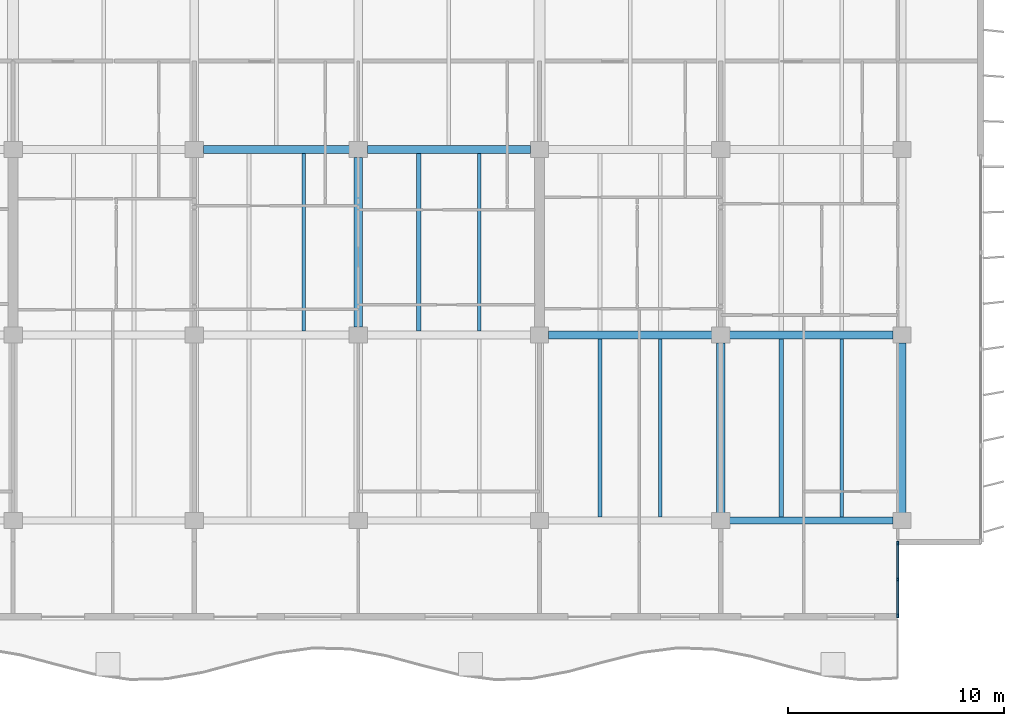
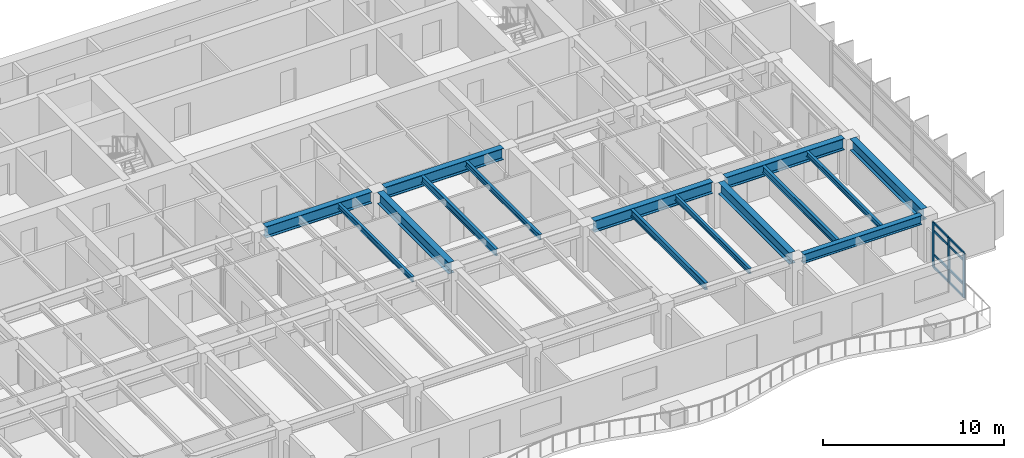
# One storey, part 4 of 19: 15 beams, 11 members, 1 element without a shape of its own.
"""IFC4 building model written with IfcOpenShell, lengths in metres."""

from ifc_helpers import new_model, si_unit, direction, frame, origin, origin_2d, place, context, subcontext, project, spatial, rectangle, i_section, extrude, material, layer, layer_set, material_profile, profile_set, type_object, element, aggregate, save


model = new_model("IFC4")

# Units and contexts
model_context = context("Model", 3, precision=1e-05, world=origin(), true_north=direction((0.0, 1.0)))
body_context = subcontext(model_context, "Body", "Model", "MODEL_VIEW")
ifc_project = project(units=[si_unit("LENGTHUNIT", "METRE"), si_unit("AREAUNIT", "SQUARE_METRE"), si_unit("VOLUMEUNIT", "CUBIC_METRE"), si_unit("PLANEANGLEUNIT", "RADIAN"), si_unit("MASSUNIT", "GRAM", prefix="KILO")], contexts=[model_context])

# Site, building, storey
site_placement = place(None, origin())
site = spatial("IfcSite", under=ifc_project, at=site_placement, CompositionType="ELEMENT")
building_placement = place(site_placement, origin())
building = spatial("IfcBuilding", under=site, at=building_placement, Name="Caelmar Bay Residences", CompositionType="ELEMENT")
storey_placement = place(building_placement, frame((0.0, 0.0, 188.39990234375)))
storey = spatial("IfcBuildingStorey", under=building, at=storey_placement, Name="L52", CompositionType="ELEMENT", Elevation=188.39990234375)

# Beams
ifc_material_1 = material(Name="Steel ASTM A992 Grade 50", Category="steel")
ifc_material_profile_1 = material_profile(ifc_material_1, i_section(OverallWidth=0.381103515625, OverallDepth=0.77197265625, WebThickness=0.0166015625, FlangeThickness=0.027099609375, FilletRadius=0.0166015625, at=origin_2d()), Name="W30X173")
ifc_profile_set_1 = profile_set([ifc_material_profile_1], Name="Steel ASTM A992 Grade 50")
beam_type_1 = type_object("IfcBeamType", Name="BM-GRD-W30X173", PredefinedType="BEAM", material=ifc_profile_set_1)
for number, where, z_axis, x_axis, name in (
    (1, (51.514892578125, 20.800048828125, 2.6640625), (1.0, 0.0, 0.0), (0.0, 1.0, 0.0), "L52 East-West Girder Y=20.80 (51.1-59.5)"),
    (2, (59.9150390625, 20.800048828125, 2.6640625), (1.0, 0.0, 0.0), (0.0, 1.0, 0.0), "L52 East-West Girder Y=20.80 (59.5-67.9)"),
):
    element("IfcBeam", number, at=place(storey_placement, frame(where, z_axis=z_axis, x_axis=x_axis)), inside=storey, type_object=beam_type_1, Name=name, PredefinedType="BEAM", context=body_context, shape_type="SweptSolid", body=[
        extrude(i_section(OverallWidth=0.381103515625, OverallDepth=0.77197265625, WebThickness=0.0166015625, FlangeThickness=0.027099609375, FilletRadius=0.0166015625, at=origin_2d()), origin(), (0.0, 0.0, 1.0), 7.570068359375),
    ])
beam_1_placement = place(storey_placement, frame((35.514892578125, 29.39990234375, 2.6640625), z_axis=(1.0, 0.0, 0.0), x_axis=(0.0, 1.0, 0.0)))
element("IfcBeam", 3, at=beam_1_placement, inside=storey, type_object=beam_type_1, Name="L52 East-West Girder Y=29.40 (35.1-42.7)", PredefinedType="BEAM", context=body_context, shape_type="SweptSolid", body=[
    extrude(i_section(OverallWidth=0.381103515625, OverallDepth=0.77197265625, WebThickness=0.0166015625, FlangeThickness=0.027099609375, FilletRadius=0.0166015625, at=origin_2d()), origin(), (0.0, 0.0, 1.0), 6.77001953125),
])
beam_2_placement = place(storey_placement, frame((43.114990234375, 29.39990234375, 2.6640625), z_axis=(1.0, 0.0, 0.0), x_axis=(0.0, 1.0, 0.0)))
element("IfcBeam", 4, at=beam_2_placement, inside=storey, type_object=beam_type_1, Name="L52 East-West Girder Y=29.40 (42.7-51.1)", PredefinedType="BEAM", context=body_context, shape_type="SweptSolid", body=[
    extrude(i_section(OverallWidth=0.381103515625, OverallDepth=0.77197265625, WebThickness=0.0166015625, FlangeThickness=0.027099609375, FilletRadius=0.0166015625, at=origin_2d()), origin(), (0.0, 0.0, 1.0), 7.570068359375),
])
beam_3_placement = place(storey_placement, frame((42.699951171875, 21.1650390625, 2.6640625), z_axis=(0.0, 1.0, 0.0), x_axis=(-1.0, 0.0, 0.0)))
element("IfcBeam", 5, at=beam_3_placement, inside=storey, type_object=beam_type_1, Name="L52 North-South Girder X=42.70 (20.8-29.4)", PredefinedType="BEAM", context=body_context, shape_type="SweptSolid", body=[
    extrude(i_section(OverallWidth=0.381103515625, OverallDepth=0.77197265625, WebThickness=0.0166015625, FlangeThickness=0.027099609375, FilletRadius=0.0166015625, at=origin_2d()), origin(), (0.0, 0.0, 1.0), 7.869873046875),
])
for number, where, z_axis, x_axis, name in (
    (6, (59.5, 12.56494140625, 2.6640625), (0.0, 1.0, 0.0), (-1.0, 0.0, 0.0), "L52 North-South Girder X=59.50 (12.2-20.8)"),
    (7, (67.89990234375, 12.56494140625, 2.6640625), (0.0, 1.0, 0.0), (-1.0, 0.0, 0.0), "L52 North-South Girder X=67.90 (12.2-20.8)"),
):
    element("IfcBeam", number, at=place(storey_placement, frame(where, z_axis=z_axis, x_axis=x_axis)), inside=storey, type_object=beam_type_1, Name=name, PredefinedType="BEAM", context=body_context, shape_type="SweptSolid", body=[
        extrude(i_section(OverallWidth=0.381103515625, OverallDepth=0.77197265625, WebThickness=0.0166015625, FlangeThickness=0.027099609375, FilletRadius=0.0166015625, at=origin_2d()), origin(), (0.0, 0.0, 1.0), 7.8701171875),
    ])
ifc_material_profile_2 = material_profile(ifc_material_1, i_section(OverallWidth=0.1708984375, OverallDepth=0.35595703125, WebThickness=0.007080078125, FlangeThickness=0.01171875, FilletRadius=0.007568359375, at=origin_2d()), Name="W14X34")
ifc_profile_set_2 = profile_set([ifc_material_profile_2], Name="Steel ASTM A992 Grade 50")
beam_type_2 = type_object("IfcBeamType", Name="BM-JST-W14X34", PredefinedType="JOIST", material=ifc_profile_set_2)
for number, where, z_axis, x_axis, name in (
    (8, (56.699951171875, 12.362548828125, 2.8720703125), (0.0, 1.0, 0.0), (-1.0, 0.0, 0.0), "L52 Composite Floor Joist 12"),
    (9, (65.10009765625, 12.362548828125, 2.8720703125), (0.0, 1.0, 0.0), (-1.0, 0.0, 0.0), "L52 Composite Floor Joist 14"),
):
    element("IfcBeam", number, at=place(storey_placement, frame(where, z_axis=z_axis, x_axis=x_axis)), inside=storey, type_object=beam_type_2, Name=name, PredefinedType="JOIST", context=body_context, shape_type="SweptSolid", body=[
        extrude(i_section(OverallWidth=0.1708984375, OverallDepth=0.35595703125, WebThickness=0.007080078125, FlangeThickness=0.01171875, FilletRadius=0.007568359375, at=origin_2d()), origin(), (0.0, 0.0, 1.0), 8.2470703125),
    ])
for number, where, z_axis, x_axis, name in (
    (10, (40.166748046875, 20.990478515625, 2.8720703125), (0.0, 1.0, 0.0), (-1.0, 0.0, 0.0), "L52 Composite Floor Joist 22"),
    (11, (48.300048828125, 20.990478515625, 2.8720703125), (0.0, 1.0, 0.0), (-1.0, 0.0, 0.0), "L52 Composite Floor Joist 24"),
):
    element("IfcBeam", number, at=place(storey_placement, frame(where, z_axis=z_axis, x_axis=x_axis)), inside=storey, type_object=beam_type_2, Name=name, PredefinedType="JOIST", context=body_context, shape_type="SweptSolid", body=[
        extrude(i_section(OverallWidth=0.1708984375, OverallDepth=0.35595703125, WebThickness=0.007080078125, FlangeThickness=0.01171875, FilletRadius=0.007568359375, at=origin_2d()), origin(), (0.0, 0.0, 1.0), 8.218994140625),
    ])
ifc_material_profile_3 = material_profile(ifc_material_1, i_section(OverallWidth=0.19091796875, OverallDepth=0.45703125, WebThickness=0.009033203125, FlangeThickness=0.014404296875, FilletRadius=0.01025390625, at=origin_2d()), Name="W18X50")
ifc_profile_set_3 = profile_set([ifc_material_profile_3], Name="Steel ASTM A992 Grade 50")
beam_type_3 = type_object("IfcBeamType", Name="BM-JST-W18X50", PredefinedType="JOIST", material=ifc_profile_set_3)
for number, where, z_axis, x_axis, name in (
    (12, (53.89990234375, 12.362548828125, 2.821533203125), (0.0, 1.0, 0.0), (-1.0, 0.0, 0.0), "L52 Composite Floor Joist 11"),
    (13, (62.300048828125, 12.362548828125, 2.821533203125), (0.0, 1.0, 0.0), (-1.0, 0.0, 0.0), "L52 Composite Floor Joist 13"),
):
    element("IfcBeam", number, at=place(storey_placement, frame(where, z_axis=z_axis, x_axis=x_axis)), inside=storey, type_object=beam_type_3, Name=name, PredefinedType="JOIST", context=body_context, shape_type="SweptSolid", body=[
        extrude(i_section(OverallWidth=0.19091796875, OverallDepth=0.45703125, WebThickness=0.009033203125, FlangeThickness=0.014404296875, FilletRadius=0.01025390625, at=origin_2d()), origin(), (0.0, 0.0, 1.0), 8.2470703125),
    ])
beam_4_placement = place(storey_placement, frame((45.5, 20.990478515625, 2.821533203125), z_axis=(0.0, 1.0, 0.0), x_axis=(-1.0, 0.0, 0.0)))
element("IfcBeam", 14, at=beam_4_placement, inside=storey, type_object=beam_type_3, Name="L52 Composite Floor Joist 23", PredefinedType="JOIST", context=body_context, shape_type="SweptSolid", body=[
    extrude(i_section(OverallWidth=0.19091796875, OverallDepth=0.45703125, WebThickness=0.009033203125, FlangeThickness=0.014404296875, FilletRadius=0.01025390625, at=origin_2d()), origin(), (0.0, 0.0, 1.0), 8.218994140625),
])
ifc_material_profile_4 = material_profile(ifc_material_1, i_section(OverallWidth=0.324951171875, OverallDepth=0.616943359375, WebThickness=0.013916015625, FlangeThickness=0.021484375, FilletRadius=0.0126953125, at=origin_2d()), Name="W24X117")
ifc_profile_set_4 = profile_set([ifc_material_profile_4], Name="Steel ASTM A992 Grade 50")
beam_type_4 = type_object("IfcBeamType", Name="BM-SPN-W24X117", PredefinedType="SPANDREL", material=ifc_profile_set_4)
beam_5_placement = place(storey_placement, frame((59.9150390625, 12.199951171875, 2.74169921875), z_axis=(1.0, 0.0, 0.0), x_axis=(0.0, 1.0, 0.0)))
element("IfcBeam", 15, at=beam_5_placement, inside=storey, type_object=beam_type_4, Name="L52 East-West Girder Y=12.20 (59.5-67.9)", PredefinedType="SPANDREL", context=body_context, shape_type="SweptSolid", body=[
    extrude(i_section(OverallWidth=0.324951171875, OverallDepth=0.616943359375, WebThickness=0.013916015625, FlangeThickness=0.021484375, FilletRadius=0.0126953125, at=origin_2d()), origin(), (0.0, 0.0, 1.0), 7.570068359375),
])

# Curtain wall, members
ifc_material_2 = material(Name="Anodised bronze aluminium 6063-T6 and laminated glass", Category="aluminium")
ifc_layer = layer(ifc_material_2, 0.179931640625)
ifc_layer_set = layer_set([ifc_layer], Name="Anodised bronze aluminium 6063-T6 and laminated glass")
curtain_wall_type = type_object("IfcCurtainWallType", Name="CW6-NTC", PredefinedType="NOTDEFINED", material=ifc_layer_set)
curtain_wall_placement = place(storey_placement, origin())
curtain_wall = element("IfcCurtainWall", 16, at=curtain_wall_placement, inside=storey, type_object=curtain_wall_type, Name="CW6 curtain wall L52", PredefinedType="NOTDEFINED")
ifc_material_3 = material(Name="Anodised bronze aluminium 6063-T6", Category="aluminium")
ifc_material_profile_5 = material_profile(ifc_material_3, rectangle(XDim=0.080078125, YDim=0.179931640625, at=origin_2d()), Name="CWM-80X180")
ifc_profile_set_5 = profile_set([ifc_material_profile_5], Name="Anodised bronze aluminium 6063-T6")
member_type_1 = type_object("IfcMemberType", Name="CWM-180", PredefinedType="MULLION", material=ifc_profile_set_5)
member_1_placement = place(storey_placement, frame((67.699951171875, 7.7900390625, 0.0), z_axis=(0.0, 0.0, 1.0), x_axis=(-1.0, 0.0, 0.0)))
member_1 = element("IfcMember", 17, at=member_1_placement, type_object=member_type_1, Name="CW6 mullion 1", PredefinedType="MULLION", context=body_context, shape_type="SweptSolid", body=[
    extrude(rectangle(XDim=0.080078125, YDim=0.179931640625, at=origin_2d()), origin(), (0.0, 0.0, 1.0), 3.050048828125),
])
member_2_placement = place(storey_placement, frame((67.699951171875, 9.47509765625, 0.0), z_axis=(0.0, 0.0, 1.0), x_axis=(-1.0, 0.0, 0.0)))
member_2 = element("IfcMember", 18, at=member_2_placement, type_object=member_type_1, Name="CW6 mullion 2", PredefinedType="MULLION", context=body_context, shape_type="SweptSolid", body=[
    extrude(rectangle(XDim=0.080078125, YDim=0.179931640625, at=origin_2d()), origin(), (0.0, 0.0, 1.0), 3.050048828125),
])
member_3_placement = place(storey_placement, frame((67.699951171875, 11.159912109375, 0.0), z_axis=(0.0, 0.0, 1.0), x_axis=(-1.0, 0.0, 0.0)))
member_3 = element("IfcMember", 19, at=member_3_placement, type_object=member_type_1, Name="CW6 mullion 3", PredefinedType="MULLION", context=body_context, shape_type="SweptSolid", body=[
    extrude(rectangle(XDim=0.080078125, YDim=0.179931640625, at=origin_2d()), origin(), (0.0, 0.0, 1.0), 3.050048828125),
])
ifc_material_profile_6 = material_profile(ifc_material_3, rectangle(XDim=0.080078125, YDim=0.139892578125, at=origin_2d()), Name="CWT-80X140")
ifc_profile_set_6 = profile_set([ifc_material_profile_6], Name="Anodised bronze aluminium 6063-T6")
member_type_2 = type_object("IfcMemberType", Name="CWT-140", PredefinedType="NOTDEFINED", material=ifc_profile_set_6)
member_4_placement = place(storey_placement, frame((67.699951171875, 7.830078125, 0.0400390625), z_axis=(0.0, 1.0, 0.0), x_axis=(-1.0, 0.0, 0.0)))
member_4 = element("IfcMember", 20, at=member_4_placement, type_object=member_type_2, Name="CW6 transom 1.1", ObjectType="TRANSOM", PredefinedType="USERDEFINED", context=body_context, shape_type="SweptSolid", body=[
    extrude(rectangle(XDim=0.080078125, YDim=0.139892578125, at=origin_2d()), origin(), (0.0, 0.0, 1.0), 1.60498046875),
])
member_5_placement = place(storey_placement, frame((67.699951171875, 7.830078125, 0.900146484375), z_axis=(0.0, 1.0, 0.0), x_axis=(-1.0, 0.0, 0.0)))
member_5 = element("IfcMember", 21, at=member_5_placement, type_object=member_type_2, Name="CW6 transom 1.2", ObjectType="TRANSOM", PredefinedType="USERDEFINED", context=body_context, shape_type="SweptSolid", body=[
    extrude(rectangle(XDim=0.080078125, YDim=0.139892578125, at=origin_2d()), origin(), (0.0, 0.0, 1.0), 1.60498046875),
])
member_6_placement = place(storey_placement, frame((67.699951171875, 7.830078125, 2.5), z_axis=(0.0, 1.0, 0.0), x_axis=(-1.0, 0.0, 0.0)))
member_6 = element("IfcMember", 22, at=member_6_placement, type_object=member_type_2, Name="CW6 transom 1.3", ObjectType="TRANSOM", PredefinedType="USERDEFINED", context=body_context, shape_type="SweptSolid", body=[
    extrude(rectangle(XDim=0.080078125, YDim=0.139892578125, at=origin_2d()), origin(), (0.0, 0.0, 1.0), 1.60498046875),
])
member_7_placement = place(storey_placement, frame((67.699951171875, 7.830078125, 3.010009765625), z_axis=(0.0, 1.0, 0.0), x_axis=(-1.0, 0.0, 0.0)))
member_7 = element("IfcMember", 23, at=member_7_placement, type_object=member_type_2, Name="CW6 transom 1.4", ObjectType="TRANSOM", PredefinedType="USERDEFINED", context=body_context, shape_type="SweptSolid", body=[
    extrude(rectangle(XDim=0.080078125, YDim=0.139892578125, at=origin_2d()), origin(), (0.0, 0.0, 1.0), 1.60498046875),
])
member_8_placement = place(storey_placement, frame((67.699951171875, 9.514892578125, 0.0400390625), z_axis=(0.0, 1.0, 0.0), x_axis=(-1.0, 0.0, 0.0)))
member_8 = element("IfcMember", 24, at=member_8_placement, type_object=member_type_2, Name="CW6 transom 2.1", ObjectType="TRANSOM", PredefinedType="USERDEFINED", context=body_context, shape_type="SweptSolid", body=[
    extrude(rectangle(XDim=0.080078125, YDim=0.139892578125, at=origin_2d()), origin(), (0.0, 0.0, 1.0), 1.605224609375),
])
member_9_placement = place(storey_placement, frame((67.699951171875, 9.514892578125, 0.900146484375), z_axis=(0.0, 1.0, 0.0), x_axis=(-1.0, 0.0, 0.0)))
member_9 = element("IfcMember", 25, at=member_9_placement, type_object=member_type_2, Name="CW6 transom 2.2", ObjectType="TRANSOM", PredefinedType="USERDEFINED", context=body_context, shape_type="SweptSolid", body=[
    extrude(rectangle(XDim=0.080078125, YDim=0.139892578125, at=origin_2d()), origin(), (0.0, 0.0, 1.0), 1.605224609375),
])
member_10_placement = place(storey_placement, frame((67.699951171875, 9.514892578125, 2.5), z_axis=(0.0, 1.0, 0.0), x_axis=(-1.0, 0.0, 0.0)))
member_10 = element("IfcMember", 26, at=member_10_placement, type_object=member_type_2, Name="CW6 transom 2.3", ObjectType="TRANSOM", PredefinedType="USERDEFINED", context=body_context, shape_type="SweptSolid", body=[
    extrude(rectangle(XDim=0.080078125, YDim=0.139892578125, at=origin_2d()), origin(), (0.0, 0.0, 1.0), 1.605224609375),
])
member_11_placement = place(storey_placement, frame((67.699951171875, 9.514892578125, 3.010009765625), z_axis=(0.0, 1.0, 0.0), x_axis=(-1.0, 0.0, 0.0)))
member_11 = element("IfcMember", 27, at=member_11_placement, type_object=member_type_2, Name="CW6 transom 2.4", ObjectType="TRANSOM", PredefinedType="USERDEFINED", context=body_context, shape_type="SweptSolid", body=[
    extrude(rectangle(XDim=0.080078125, YDim=0.139892578125, at=origin_2d()), origin(), (0.0, 0.0, 1.0), 1.605224609375),
])
aggregate(curtain_wall, [member_1, member_2, member_3, member_4, member_5, member_6, member_7, member_8, member_9, member_10, member_11])

save(model, "model.ifc")
